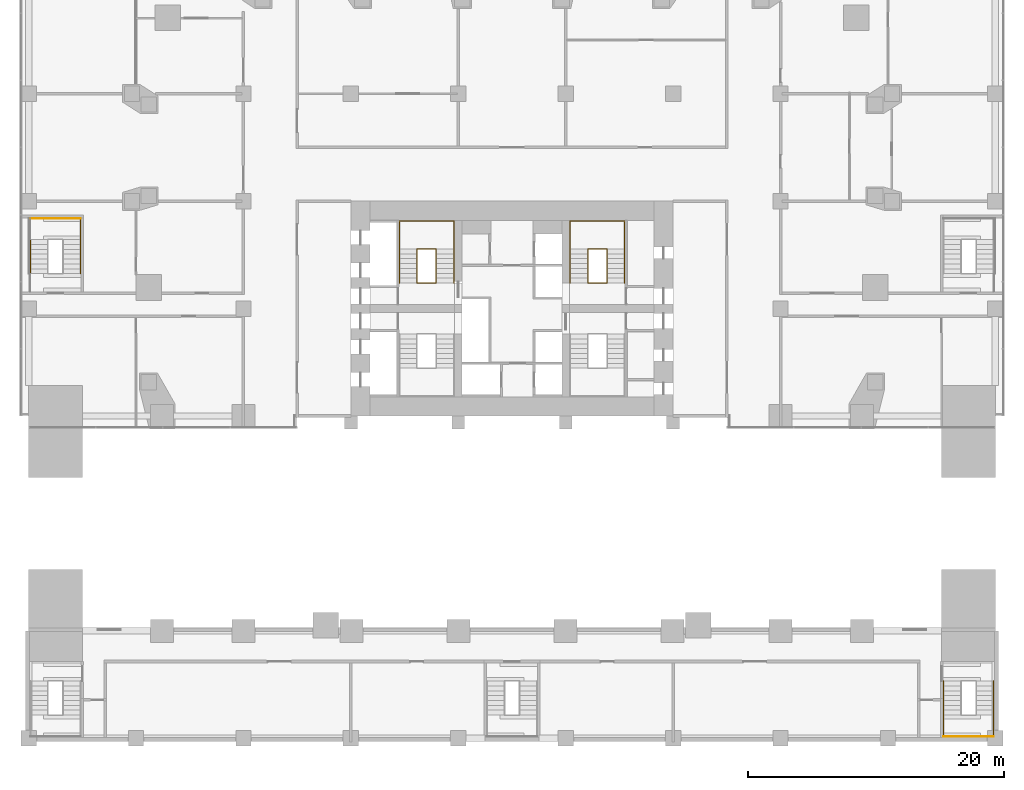
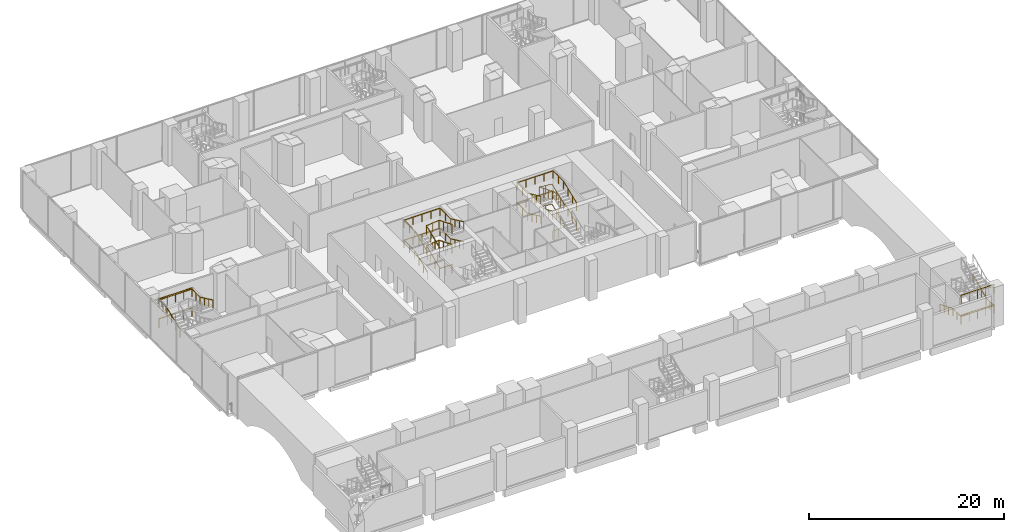
# One storey, part 25 of 28: 14 railings.
"""IFC4 building model written with IfcOpenShell, lengths in metres."""

from ifc_helpers import new_model, si_unit, direction, frame, origin, origin_2d, place, context, subcontext, project, spatial, circle, extrude, material, type_object, element, save


model = new_model("IFC4")

# Units and contexts
model_context = context("Model", 3, precision=1e-05, world=origin(), true_north=direction((0.0, 1.0)))
body_context = subcontext(model_context, "Body", "Model", "MODEL_VIEW")
ifc_project = project(units=[si_unit("LENGTHUNIT", "METRE"), si_unit("AREAUNIT", "SQUARE_METRE"), si_unit("VOLUMEUNIT", "CUBIC_METRE"), si_unit("PLANEANGLEUNIT", "RADIAN"), si_unit("MASSUNIT", "GRAM", prefix="KILO")], contexts=[model_context])

# Site, building, storey
site_placement = place(None, origin())
site = spatial("IfcSite", under=ifc_project, at=site_placement, CompositionType="ELEMENT")
building_placement = place(site_placement, origin())
building = spatial("IfcBuilding", under=site, at=building_placement, Name="Marenta Gate Hotel Tower", CompositionType="ELEMENT")
storey_placement = place(building_placement, frame((0.0, 0.0, 26.0)))
storey = spatial("IfcBuildingStorey", under=building, at=storey_placement, Name="L04", CompositionType="ELEMENT", Elevation=26.0)

# Railings
ifc_material_1 = material(Name="Stainless steel", Category="steel")
railing_type_1 = type_object("IfcRailingType", Name="Core stair handrail 950", PredefinedType="HANDRAIL", material=ifc_material_1)
railing_1_placement = place(storey_placement, frame((-8.800048828125, 10.39990234375, 0.15625)))
element("IfcRailing", 1, at=railing_1_placement, inside=storey, type_object=railing_type_1, Name="HR-950 L04-KR-ST2-1", PredefinedType="HANDRAIL", context=body_context, shape_type="SweptSolid", body=[
    extrude(circle(Radius=0.02392578125, at=origin_2d()), frame((0.0, 0.0, 0.92578125), z_axis=(0.0, 0.924874861033, 0.380271602187), x_axis=(-1.0, 0.0, 0.0)), (0.0, 0.0, 1.0), 2.876220703125),
    extrude(circle(Radius=0.02392578125, at=origin_2d()), frame((0.0, 2.66015625, 2.01953125), z_axis=(0.0, 1.0, 0.0), x_axis=(-1.0, 0.0, 0.0)), (0.0, 0.0, 1.0), 2.18994140625),
    extrude(circle(Radius=0.02392578125, at=origin_2d()), frame((0.0, 4.85009765625, 2.01953125), z_axis=(1.0, 0.0, 0.0), x_axis=(0.0, 1.0, 0.0)), (0.0, 0.0, 1.0), 4.25),
    extrude(circle(Radius=0.02392578125, at=origin_2d()), frame((4.25, 4.85009765625, 2.01953125), z_axis=(0.0, -1.0, 0.0), x_axis=(1.0, 0.0, 0.0)), (0.0, 0.0, 1.0), 2.18994140625),
    extrude(circle(Radius=0.02392578125, at=origin_2d()), frame((4.25, 2.66015625, 2.01953125), z_axis=(0.0, -0.905059511965, 0.425284939543), x_axis=(1.0, 0.0, 0.0)), (0.0, 0.0, 1.0), 2.939208984375),
    extrude(circle(Radius=0.02099609375, at=origin_2d()), origin(), (0.0, 0.0, 1.0), 0.90185546875),
    extrude(circle(Radius=0.02099609375, at=origin_2d()), frame((0.0, 0.88671875, 0.364501953125)), (0.0, 0.0, 1.0), 0.90185546875),
    extrude(circle(Radius=0.02099609375, at=origin_2d()), frame((0.0, 1.7734375, 0.729248046875)), (0.0, 0.0, 1.0), 0.90185546875),
    extrude(circle(Radius=0.02099609375, at=origin_2d()), frame((0.0, 2.66015625, 1.09375)), (0.0, 0.0, 1.0), 0.90185546875),
    extrude(circle(Radius=0.02099609375, at=origin_2d()), frame((0.0, 3.755126953125, 1.09375)), (0.0, 0.0, 1.0), 0.90185546875),
    extrude(circle(Radius=0.02099609375, at=origin_2d()), frame((0.0, 4.85009765625, 1.09375)), (0.0, 0.0, 1.0), 0.90185546875),
    extrude(circle(Radius=0.02099609375, at=origin_2d()), frame((1.0625, 4.85009765625, 1.09375)), (0.0, 0.0, 1.0), 0.90185546875),
    extrude(circle(Radius=0.02099609375, at=origin_2d()), frame((2.125, 4.85009765625, 1.09375)), (0.0, 0.0, 1.0), 0.90185546875),
    extrude(circle(Radius=0.02099609375, at=origin_2d()), frame((3.1875, 4.85009765625, 1.09375)), (0.0, 0.0, 1.0), 0.90185546875),
    extrude(circle(Radius=0.02099609375, at=origin_2d()), frame((4.25, 4.85009765625, 1.09375)), (0.0, 0.0, 1.0), 0.90185546875),
    extrude(circle(Radius=0.02099609375, at=origin_2d()), frame((4.25, 3.755126953125, 1.09375)), (0.0, 0.0, 1.0), 0.90185546875),
    extrude(circle(Radius=0.02099609375, at=origin_2d()), frame((4.25, 2.66015625, 1.09375)), (0.0, 0.0, 1.0), 0.90185546875),
    extrude(circle(Radius=0.02099609375, at=origin_2d()), frame((4.25, 1.7734375, 1.510498046875)), (0.0, 0.0, 1.0), 0.90185546875),
    extrude(circle(Radius=0.02099609375, at=origin_2d()), frame((4.25, 0.88671875, 1.927001953125)), (0.0, 0.0, 1.0), 0.90185546875),
    extrude(circle(Radius=0.02099609375, at=origin_2d()), frame((4.25, 0.0, 2.34375)), (0.0, 0.0, 1.0), 0.90185546875),
])
railing_2_placement = place(storey_placement, frame((-8.800048828125, 10.39990234375, 2.65625)))
element("IfcRailing", 2, at=railing_2_placement, inside=storey, type_object=railing_type_1, Name="HR-950 L04-KR-ST2-3", PredefinedType="HANDRAIL", context=body_context, shape_type="SweptSolid", body=[
    extrude(circle(Radius=0.02392578125, at=origin_2d()), frame((0.0, 0.0, 0.92578125), z_axis=(0.0, 0.924874861033, 0.380271602187), x_axis=(-1.0, 0.0, 0.0)), (0.0, 0.0, 1.0), 2.876220703125),
    extrude(circle(Radius=0.02392578125, at=origin_2d()), frame((0.0, 2.66015625, 2.01953125), z_axis=(0.0, 1.0, 0.0), x_axis=(-1.0, 0.0, 0.0)), (0.0, 0.0, 1.0), 2.18994140625),
    extrude(circle(Radius=0.02392578125, at=origin_2d()), frame((0.0, 4.85009765625, 2.01953125), z_axis=(1.0, 0.0, 0.0), x_axis=(0.0, 1.0, 0.0)), (0.0, 0.0, 1.0), 4.25),
    extrude(circle(Radius=0.02392578125, at=origin_2d()), frame((4.25, 4.85009765625, 2.01953125), z_axis=(0.0, -1.0, 0.0), x_axis=(1.0, 0.0, 0.0)), (0.0, 0.0, 1.0), 2.18994140625),
    extrude(circle(Radius=0.02392578125, at=origin_2d()), frame((4.25, 2.66015625, 2.01953125), z_axis=(0.0, -0.905059511965, 0.425284939543), x_axis=(1.0, 0.0, 0.0)), (0.0, 0.0, 1.0), 2.939208984375),
    extrude(circle(Radius=0.02099609375, at=origin_2d()), origin(), (0.0, 0.0, 1.0), 0.90185546875),
    extrude(circle(Radius=0.02099609375, at=origin_2d()), frame((0.0, 0.88671875, 0.364501953125)), (0.0, 0.0, 1.0), 0.90185546875),
    extrude(circle(Radius=0.02099609375, at=origin_2d()), frame((0.0, 1.7734375, 0.729248046875)), (0.0, 0.0, 1.0), 0.90185546875),
    extrude(circle(Radius=0.02099609375, at=origin_2d()), frame((0.0, 2.66015625, 1.09375)), (0.0, 0.0, 1.0), 0.90185546875),
    extrude(circle(Radius=0.02099609375, at=origin_2d()), frame((0.0, 3.755126953125, 1.09375)), (0.0, 0.0, 1.0), 0.90185546875),
    extrude(circle(Radius=0.02099609375, at=origin_2d()), frame((0.0, 4.85009765625, 1.09375)), (0.0, 0.0, 1.0), 0.90185546875),
    extrude(circle(Radius=0.02099609375, at=origin_2d()), frame((1.0625, 4.85009765625, 1.09375)), (0.0, 0.0, 1.0), 0.90185546875),
    extrude(circle(Radius=0.02099609375, at=origin_2d()), frame((2.125, 4.85009765625, 1.09375)), (0.0, 0.0, 1.0), 0.90185546875),
    extrude(circle(Radius=0.02099609375, at=origin_2d()), frame((3.1875, 4.85009765625, 1.09375)), (0.0, 0.0, 1.0), 0.90185546875),
    extrude(circle(Radius=0.02099609375, at=origin_2d()), frame((4.25, 4.85009765625, 1.09375)), (0.0, 0.0, 1.0), 0.90185546875),
    extrude(circle(Radius=0.02099609375, at=origin_2d()), frame((4.25, 3.755126953125, 1.09375)), (0.0, 0.0, 1.0), 0.90185546875),
    extrude(circle(Radius=0.02099609375, at=origin_2d()), frame((4.25, 2.66015625, 1.09375)), (0.0, 0.0, 1.0), 0.90185546875),
    extrude(circle(Radius=0.02099609375, at=origin_2d()), frame((4.25, 1.7734375, 1.510498046875)), (0.0, 0.0, 1.0), 0.90185546875),
    extrude(circle(Radius=0.02099609375, at=origin_2d()), frame((4.25, 0.88671875, 1.927001953125)), (0.0, 0.0, 1.0), 0.90185546875),
    extrude(circle(Radius=0.02099609375, at=origin_2d()), frame((4.25, 0.0, 2.34375)), (0.0, 0.0, 1.0), 0.90185546875),
])
railing_3_placement = place(storey_placement, frame((8.800048828125, 10.39990234375, 0.15625)))
element("IfcRailing", 3, at=railing_3_placement, inside=storey, type_object=railing_type_1, Name="HR-950 L04-KR-ST4-1", PredefinedType="HANDRAIL", context=body_context, shape_type="SweptSolid", body=[
    extrude(circle(Radius=0.02392578125, at=origin_2d()), frame((0.0, 0.0, 0.92578125), z_axis=(0.0, 0.924874861033, 0.380271602187), x_axis=(-1.0, 0.0, 0.0)), (0.0, 0.0, 1.0), 2.876220703125),
    extrude(circle(Radius=0.02392578125, at=origin_2d()), frame((0.0, 2.66015625, 2.01953125), z_axis=(0.0, 1.0, 0.0), x_axis=(-1.0, 0.0, 0.0)), (0.0, 0.0, 1.0), 2.18994140625),
    extrude(circle(Radius=0.02392578125, at=origin_2d()), frame((0.0, 4.85009765625, 2.01953125), z_axis=(-1.0, 0.0, 0.0), x_axis=(0.0, -1.0, 0.0)), (0.0, 0.0, 1.0), 4.25),
    extrude(circle(Radius=0.02392578125, at=origin_2d()), frame((-4.25, 4.85009765625, 2.01953125), z_axis=(0.0, -1.0, 0.0), x_axis=(1.0, 0.0, 0.0)), (0.0, 0.0, 1.0), 2.18994140625),
    extrude(circle(Radius=0.02392578125, at=origin_2d()), frame((-4.25, 2.66015625, 2.01953125), z_axis=(0.0, -0.905059511965, 0.425284939543), x_axis=(1.0, 0.0, 0.0)), (0.0, 0.0, 1.0), 2.939208984375),
    extrude(circle(Radius=0.02099609375, at=origin_2d()), origin(), (0.0, 0.0, 1.0), 0.90185546875),
    extrude(circle(Radius=0.02099609375, at=origin_2d()), frame((0.0, 0.88671875, 0.364501953125)), (0.0, 0.0, 1.0), 0.90185546875),
    extrude(circle(Radius=0.02099609375, at=origin_2d()), frame((0.0, 1.7734375, 0.729248046875)), (0.0, 0.0, 1.0), 0.90185546875),
    extrude(circle(Radius=0.02099609375, at=origin_2d()), frame((0.0, 2.66015625, 1.09375)), (0.0, 0.0, 1.0), 0.90185546875),
    extrude(circle(Radius=0.02099609375, at=origin_2d()), frame((0.0, 3.755126953125, 1.09375)), (0.0, 0.0, 1.0), 0.90185546875),
    extrude(circle(Radius=0.02099609375, at=origin_2d()), frame((0.0, 4.85009765625, 1.09375)), (0.0, 0.0, 1.0), 0.90185546875),
    extrude(circle(Radius=0.02099609375, at=origin_2d()), frame((-1.0625, 4.85009765625, 1.09375)), (0.0, 0.0, 1.0), 0.90185546875),
    extrude(circle(Radius=0.02099609375, at=origin_2d()), frame((-2.125, 4.85009765625, 1.09375)), (0.0, 0.0, 1.0), 0.90185546875),
    extrude(circle(Radius=0.02099609375, at=origin_2d()), frame((-3.1875, 4.85009765625, 1.09375)), (0.0, 0.0, 1.0), 0.90185546875),
    extrude(circle(Radius=0.02099609375, at=origin_2d()), frame((-4.25, 4.85009765625, 1.09375)), (0.0, 0.0, 1.0), 0.90185546875),
    extrude(circle(Radius=0.02099609375, at=origin_2d()), frame((-4.25, 3.755126953125, 1.09375)), (0.0, 0.0, 1.0), 0.90185546875),
    extrude(circle(Radius=0.02099609375, at=origin_2d()), frame((-4.25, 2.66015625, 1.09375)), (0.0, 0.0, 1.0), 0.90185546875),
    extrude(circle(Radius=0.02099609375, at=origin_2d()), frame((-4.25, 1.7734375, 1.510498046875)), (0.0, 0.0, 1.0), 0.90185546875),
    extrude(circle(Radius=0.02099609375, at=origin_2d()), frame((-4.25, 0.88671875, 1.927001953125)), (0.0, 0.0, 1.0), 0.90185546875),
    extrude(circle(Radius=0.02099609375, at=origin_2d()), frame((-4.25, 0.0, 2.34375)), (0.0, 0.0, 1.0), 0.90185546875),
])
railing_4_placement = place(storey_placement, frame((8.800048828125, 10.39990234375, 2.65625)))
element("IfcRailing", 4, at=railing_4_placement, inside=storey, type_object=railing_type_1, Name="HR-950 L04-KR-ST4-3", PredefinedType="HANDRAIL", context=body_context, shape_type="SweptSolid", body=[
    extrude(circle(Radius=0.02392578125, at=origin_2d()), frame((0.0, 0.0, 0.92578125), z_axis=(0.0, 0.924874861033, 0.380271602187), x_axis=(-1.0, 0.0, 0.0)), (0.0, 0.0, 1.0), 2.876220703125),
    extrude(circle(Radius=0.02392578125, at=origin_2d()), frame((0.0, 2.66015625, 2.01953125), z_axis=(0.0, 1.0, 0.0), x_axis=(-1.0, 0.0, 0.0)), (0.0, 0.0, 1.0), 2.18994140625),
    extrude(circle(Radius=0.02392578125, at=origin_2d()), frame((0.0, 4.85009765625, 2.01953125), z_axis=(-1.0, 0.0, 0.0), x_axis=(0.0, -1.0, 0.0)), (0.0, 0.0, 1.0), 4.25),
    extrude(circle(Radius=0.02392578125, at=origin_2d()), frame((-4.25, 4.85009765625, 2.01953125), z_axis=(0.0, -1.0, 0.0), x_axis=(1.0, 0.0, 0.0)), (0.0, 0.0, 1.0), 2.18994140625),
    extrude(circle(Radius=0.02392578125, at=origin_2d()), frame((-4.25, 2.66015625, 2.01953125), z_axis=(0.0, -0.905059511965, 0.425284939543), x_axis=(1.0, 0.0, 0.0)), (0.0, 0.0, 1.0), 2.939208984375),
    extrude(circle(Radius=0.02099609375, at=origin_2d()), origin(), (0.0, 0.0, 1.0), 0.90185546875),
    extrude(circle(Radius=0.02099609375, at=origin_2d()), frame((0.0, 0.88671875, 0.364501953125)), (0.0, 0.0, 1.0), 0.90185546875),
    extrude(circle(Radius=0.02099609375, at=origin_2d()), frame((0.0, 1.7734375, 0.729248046875)), (0.0, 0.0, 1.0), 0.90185546875),
    extrude(circle(Radius=0.02099609375, at=origin_2d()), frame((0.0, 2.66015625, 1.09375)), (0.0, 0.0, 1.0), 0.90185546875),
    extrude(circle(Radius=0.02099609375, at=origin_2d()), frame((0.0, 3.755126953125, 1.09375)), (0.0, 0.0, 1.0), 0.90185546875),
    extrude(circle(Radius=0.02099609375, at=origin_2d()), frame((0.0, 4.85009765625, 1.09375)), (0.0, 0.0, 1.0), 0.90185546875),
    extrude(circle(Radius=0.02099609375, at=origin_2d()), frame((-1.0625, 4.85009765625, 1.09375)), (0.0, 0.0, 1.0), 0.90185546875),
    extrude(circle(Radius=0.02099609375, at=origin_2d()), frame((-2.125, 4.85009765625, 1.09375)), (0.0, 0.0, 1.0), 0.90185546875),
    extrude(circle(Radius=0.02099609375, at=origin_2d()), frame((-3.1875, 4.85009765625, 1.09375)), (0.0, 0.0, 1.0), 0.90185546875),
    extrude(circle(Radius=0.02099609375, at=origin_2d()), frame((-4.25, 4.85009765625, 1.09375)), (0.0, 0.0, 1.0), 0.90185546875),
    extrude(circle(Radius=0.02099609375, at=origin_2d()), frame((-4.25, 3.755126953125, 1.09375)), (0.0, 0.0, 1.0), 0.90185546875),
    extrude(circle(Radius=0.02099609375, at=origin_2d()), frame((-4.25, 2.66015625, 1.09375)), (0.0, 0.0, 1.0), 0.90185546875),
    extrude(circle(Radius=0.02099609375, at=origin_2d()), frame((-4.25, 1.7734375, 1.510498046875)), (0.0, 0.0, 1.0), 0.90185546875),
    extrude(circle(Radius=0.02099609375, at=origin_2d()), frame((-4.25, 0.88671875, 1.927001953125)), (0.0, 0.0, 1.0), 0.90185546875),
    extrude(circle(Radius=0.02099609375, at=origin_2d()), frame((-4.25, 0.0, 2.34375)), (0.0, 0.0, 1.0), 0.90185546875),
])
railing_5_placement = place(storey_placement, frame((33.75, -20.72998046875, 0.15625)))
element("IfcRailing", 5, at=railing_5_placement, inside=storey, type_object=railing_type_1, Name="HR-950 L04-KR-PX2-2", PredefinedType="HANDRAIL", context=body_context, shape_type="SweptSolid", body=[
    extrude(circle(Radius=0.02392578125, at=origin_2d()), frame((0.0, 0.0, 0.92578125), z_axis=(0.0, -0.924862585091, 0.38030145766), x_axis=(1.0, 0.0, 0.0)), (0.0, 0.0, 1.0), 2.8759765625),
    extrude(circle(Radius=0.02392578125, at=origin_2d()), frame((0.0, -2.659912109375, 2.01953125), z_axis=(0.0, -1.0, 0.0), x_axis=(1.0, 0.0, 0.0)), (0.0, 0.0, 1.0), 1.66015625),
    extrude(circle(Radius=0.02392578125, at=origin_2d()), frame((0.0, -4.320068359375, 2.01953125), z_axis=(1.0, 0.0, 0.0), x_axis=(0.0, 1.0, 0.0)), (0.0, 0.0, 1.0), 3.89990234375),
    extrude(circle(Radius=0.02392578125, at=origin_2d()), frame((3.89990234375, -4.320068359375, 2.01953125), z_axis=(0.0, 1.0, 0.0), x_axis=(-1.0, 0.0, 0.0)), (0.0, 0.0, 1.0), 1.66015625),
    extrude(circle(Radius=0.02392578125, at=origin_2d()), frame((3.89990234375, -2.659912109375, 2.01953125), z_axis=(0.0, 0.905044486808, 0.425316913488), x_axis=(-1.0, 0.0, 0.0)), (0.0, 0.0, 1.0), 2.93896484375),
    extrude(circle(Radius=0.02099609375, at=origin_2d()), origin(), (0.0, 0.0, 1.0), 0.90185546875),
    extrude(circle(Radius=0.02099609375, at=origin_2d()), frame((0.0, -0.88671875, 0.364501953125)), (0.0, 0.0, 1.0), 0.90185546875),
    extrude(circle(Radius=0.02099609375, at=origin_2d()), frame((0.0, -1.773193359375, 0.729248046875)), (0.0, 0.0, 1.0), 0.90185546875),
    extrude(circle(Radius=0.02099609375, at=origin_2d()), frame((0.0, -2.659912109375, 1.09375)), (0.0, 0.0, 1.0), 0.90185546875),
    extrude(circle(Radius=0.02099609375, at=origin_2d()), frame((0.0, -3.489990234375, 1.09375)), (0.0, 0.0, 1.0), 0.90185546875),
    extrude(circle(Radius=0.02099609375, at=origin_2d()), frame((0.0, -4.320068359375, 1.09375)), (0.0, 0.0, 1.0), 0.90185546875),
    extrude(circle(Radius=0.02099609375, at=origin_2d()), frame((0.97509765625, -4.320068359375, 1.09375)), (0.0, 0.0, 1.0), 0.90185546875),
    extrude(circle(Radius=0.02099609375, at=origin_2d()), frame((1.949951171875, -4.320068359375, 1.09375)), (0.0, 0.0, 1.0), 0.90185546875),
    extrude(circle(Radius=0.02099609375, at=origin_2d()), frame((2.9248046875, -4.320068359375, 1.09375)), (0.0, 0.0, 1.0), 0.90185546875),
    extrude(circle(Radius=0.02099609375, at=origin_2d()), frame((3.89990234375, -4.320068359375, 1.09375)), (0.0, 0.0, 1.0), 0.90185546875),
    extrude(circle(Radius=0.02099609375, at=origin_2d()), frame((3.89990234375, -3.489990234375, 1.09375)), (0.0, 0.0, 1.0), 0.90185546875),
    extrude(circle(Radius=0.02099609375, at=origin_2d()), frame((3.89990234375, -2.659912109375, 1.09375)), (0.0, 0.0, 1.0), 0.90185546875),
    extrude(circle(Radius=0.02099609375, at=origin_2d()), frame((3.89990234375, -1.773193359375, 1.510498046875)), (0.0, 0.0, 1.0), 0.90185546875),
    extrude(circle(Radius=0.02099609375, at=origin_2d()), frame((3.89990234375, -0.88671875, 1.927001953125)), (0.0, 0.0, 1.0), 0.90185546875),
    extrude(circle(Radius=0.02099609375, at=origin_2d()), frame((3.89990234375, 0.0, 2.34375)), (0.0, 0.0, 1.0), 0.90185546875),
])
railing_6_placement = place(storey_placement, frame((-37.64990234375, 11.1298828125, 2.65625)))
element("IfcRailing", 6, at=railing_6_placement, inside=storey, type_object=railing_type_1, Name="HR-950 L04-KR-PX6-5", PredefinedType="HANDRAIL", context=body_context, shape_type="SweptSolid", body=[
    extrude(circle(Radius=0.02392578125, at=origin_2d()), frame((0.0, 0.0, 0.92578125), z_axis=(0.0, 0.924874861033, 0.380271602187), x_axis=(-1.0, 0.0, 0.0)), (0.0, 0.0, 1.0), 2.876220703125),
    extrude(circle(Radius=0.02392578125, at=origin_2d()), frame((0.0, 2.66015625, 2.01953125), z_axis=(0.0, 1.0, 0.0), x_axis=(-1.0, 0.0, 0.0)), (0.0, 0.0, 1.0), 1.659912109375),
    extrude(circle(Radius=0.02392578125, at=origin_2d()), frame((0.0, 4.320068359375, 2.01953125), z_axis=(1.0, 0.0, 0.0), x_axis=(0.0, 1.0, 0.0)), (0.0, 0.0, 1.0), 3.89990234375),
    extrude(circle(Radius=0.02392578125, at=origin_2d()), frame((3.89990234375, 4.320068359375, 2.01953125), z_axis=(0.0, -1.0, 0.0), x_axis=(1.0, 0.0, 0.0)), (0.0, 0.0, 1.0), 1.659912109375),
    extrude(circle(Radius=0.02392578125, at=origin_2d()), frame((3.89990234375, 2.66015625, 2.01953125), z_axis=(0.0, -0.905059511965, 0.425284939543), x_axis=(1.0, 0.0, 0.0)), (0.0, 0.0, 1.0), 2.939208984375),
    extrude(circle(Radius=0.02099609375, at=origin_2d()), origin(), (0.0, 0.0, 1.0), 0.90185546875),
    extrude(circle(Radius=0.02099609375, at=origin_2d()), frame((0.0, 0.88671875, 0.364501953125)), (0.0, 0.0, 1.0), 0.90185546875),
    extrude(circle(Radius=0.02099609375, at=origin_2d()), frame((0.0, 1.7734375, 0.729248046875)), (0.0, 0.0, 1.0), 0.90185546875),
    extrude(circle(Radius=0.02099609375, at=origin_2d()), frame((0.0, 2.66015625, 1.09375)), (0.0, 0.0, 1.0), 0.90185546875),
    extrude(circle(Radius=0.02099609375, at=origin_2d()), frame((0.0, 3.490234375, 1.09375)), (0.0, 0.0, 1.0), 0.90185546875),
    extrude(circle(Radius=0.02099609375, at=origin_2d()), frame((0.0, 4.320068359375, 1.09375)), (0.0, 0.0, 1.0), 0.90185546875),
    extrude(circle(Radius=0.02099609375, at=origin_2d()), frame((0.97509765625, 4.320068359375, 1.09375)), (0.0, 0.0, 1.0), 0.90185546875),
    extrude(circle(Radius=0.02099609375, at=origin_2d()), frame((1.949951171875, 4.320068359375, 1.09375)), (0.0, 0.0, 1.0), 0.90185546875),
    extrude(circle(Radius=0.02099609375, at=origin_2d()), frame((2.9248046875, 4.320068359375, 1.09375)), (0.0, 0.0, 1.0), 0.90185546875),
    extrude(circle(Radius=0.02099609375, at=origin_2d()), frame((3.89990234375, 4.320068359375, 1.09375)), (0.0, 0.0, 1.0), 0.90185546875),
    extrude(circle(Radius=0.02099609375, at=origin_2d()), frame((3.89990234375, 3.490234375, 1.09375)), (0.0, 0.0, 1.0), 0.90185546875),
    extrude(circle(Radius=0.02099609375, at=origin_2d()), frame((3.89990234375, 2.66015625, 1.09375)), (0.0, 0.0, 1.0), 0.90185546875),
    extrude(circle(Radius=0.02099609375, at=origin_2d()), frame((3.89990234375, 1.7734375, 1.510498046875)), (0.0, 0.0, 1.0), 0.90185546875),
    extrude(circle(Radius=0.02099609375, at=origin_2d()), frame((3.89990234375, 0.88671875, 1.927001953125)), (0.0, 0.0, 1.0), 0.90185546875),
    extrude(circle(Radius=0.02099609375, at=origin_2d()), frame((3.89990234375, 0.0, 2.34375)), (0.0, 0.0, 1.0), 0.90185546875),
])
ifc_material_2 = material(Name="Stainless steel", Category="steel")
railing_type_2 = type_object("IfcRailingType", Name="Core stair well guard 1100", PredefinedType="GUARDRAIL", material=ifc_material_2)
railing_7_placement = place(storey_placement, frame((-5.929931640625, 10.39990234375, 0.0)))
element("IfcRailing", 7, at=railing_7_placement, inside=storey, type_object=railing_type_2, Name="GR-1100 L04-KR-ST2-2", PredefinedType="GUARDRAIL", context=body_context, shape_type="SweptSolid", body=[
    extrude(circle(Radius=0.02392578125, at=origin_2d()), frame((0.0, 0.0, 1.076171875), z_axis=(-1.0, 0.0, 0.0), x_axis=(0.0, -1.0, 0.0)), (0.0, 0.0, 1.0), 1.489990234375),
    extrude(circle(Radius=0.02392578125, at=origin_2d()), frame((-1.489990234375, 0.0, 1.076171875), z_axis=(0.0, 0.0, 1.0), x_axis=(1.0, 0.0, 0.0)), (0.0, 0.0, 1.0), 0.15625),
    extrude(circle(Radius=0.02392578125, at=origin_2d()), frame((-1.489990234375, 0.0, 1.232421875), z_axis=(0.0, 0.924874861033, 0.380271602187), x_axis=(-1.0, 0.0, 0.0)), (0.0, 0.0, 1.0), 2.876220703125),
    extrude(circle(Radius=0.02392578125, at=origin_2d()), frame((-1.489990234375, 2.66015625, 2.326171875), z_axis=(0.994546451282, 0.0, 0.104294564775), x_axis=(0.0, 1.0, 0.0)), (0.0, 0.0, 1.0), 1.498046875),
    extrude(circle(Radius=0.02392578125, at=origin_2d()), frame((0.0, 2.66015625, 2.482421875), z_axis=(0.0, -0.924874861033, 0.380271602187), x_axis=(1.0, 0.0, 0.0)), (0.0, 0.0, 1.0), 2.876220703125),
    extrude(circle(Radius=0.02099609375, at=origin_2d()), origin(), (0.0, 0.0, 1.0), 1.052001953125),
    extrude(circle(Radius=0.02099609375, at=origin_2d()), frame((-0.7451171875, 0.0, 0.0)), (0.0, 0.0, 1.0), 1.052001953125),
    extrude(circle(Radius=0.02099609375, at=origin_2d()), frame((-1.489990234375, 0.0, 0.0)), (0.0, 0.0, 1.0), 1.052001953125),
    extrude(circle(Radius=0.02099609375, at=origin_2d()), frame((-1.489990234375, 0.0, 0.15625)), (0.0, 0.0, 1.0), 1.052001953125),
    extrude(circle(Radius=0.02099609375, at=origin_2d()), frame((-1.489990234375, 0.88671875, 0.520751953125)), (0.0, 0.0, 1.0), 1.052001953125),
    extrude(circle(Radius=0.02099609375, at=origin_2d()), frame((-1.489990234375, 1.7734375, 0.885498046875)), (0.0, 0.0, 1.0), 1.052001953125),
    extrude(circle(Radius=0.02099609375, at=origin_2d()), frame((-1.489990234375, 2.66015625, 1.25)), (0.0, 0.0, 1.0), 1.052001953125),
    extrude(circle(Radius=0.02099609375, at=origin_2d()), frame((-0.7451171875, 2.66015625, 1.328125)), (0.0, 0.0, 1.0), 1.052001953125),
    extrude(circle(Radius=0.02099609375, at=origin_2d()), frame((0.0, 2.66015625, 1.40625)), (0.0, 0.0, 1.0), 1.052001953125),
    extrude(circle(Radius=0.02099609375, at=origin_2d()), frame((0.0, 1.7734375, 1.770751953125)), (0.0, 0.0, 1.0), 1.052001953125),
    extrude(circle(Radius=0.02099609375, at=origin_2d()), frame((0.0, 0.88671875, 2.135498046875)), (0.0, 0.0, 1.0), 1.052001953125),
    extrude(circle(Radius=0.02099609375, at=origin_2d()), frame((0.0, 0.0, 2.5)), (0.0, 0.0, 1.0), 1.052001953125),
])
railing_8_placement = place(storey_placement, frame((-5.929931640625, 10.39990234375, 2.5)))
element("IfcRailing", 8, at=railing_8_placement, inside=storey, type_object=railing_type_2, Name="GR-1100 L04-KR-ST2-4", PredefinedType="GUARDRAIL", context=body_context, shape_type="SweptSolid", body=[
    extrude(circle(Radius=0.02392578125, at=origin_2d()), frame((0.0, 0.0, 1.076171875), z_axis=(-1.0, 0.0, 0.0), x_axis=(0.0, -1.0, 0.0)), (0.0, 0.0, 1.0), 1.489990234375),
    extrude(circle(Radius=0.02392578125, at=origin_2d()), frame((-1.489990234375, 0.0, 1.076171875), z_axis=(0.0, 0.0, 1.0), x_axis=(1.0, 0.0, 0.0)), (0.0, 0.0, 1.0), 0.15625),
    extrude(circle(Radius=0.02392578125, at=origin_2d()), frame((-1.489990234375, 0.0, 1.232421875), z_axis=(0.0, 0.924874861033, 0.380271602187), x_axis=(-1.0, 0.0, 0.0)), (0.0, 0.0, 1.0), 2.876220703125),
    extrude(circle(Radius=0.02392578125, at=origin_2d()), frame((-1.489990234375, 2.66015625, 2.326171875), z_axis=(0.994546451282, 0.0, 0.104294564775), x_axis=(0.0, 1.0, 0.0)), (0.0, 0.0, 1.0), 1.498046875),
    extrude(circle(Radius=0.02392578125, at=origin_2d()), frame((0.0, 2.66015625, 2.482421875), z_axis=(0.0, -0.924874861033, 0.380271602187), x_axis=(1.0, 0.0, 0.0)), (0.0, 0.0, 1.0), 2.876220703125),
    extrude(circle(Radius=0.02099609375, at=origin_2d()), origin(), (0.0, 0.0, 1.0), 1.052001953125),
    extrude(circle(Radius=0.02099609375, at=origin_2d()), frame((-0.7451171875, 0.0, 0.0)), (0.0, 0.0, 1.0), 1.052001953125),
    extrude(circle(Radius=0.02099609375, at=origin_2d()), frame((-1.489990234375, 0.0, 0.0)), (0.0, 0.0, 1.0), 1.052001953125),
    extrude(circle(Radius=0.02099609375, at=origin_2d()), frame((-1.489990234375, 0.0, 0.15625)), (0.0, 0.0, 1.0), 1.052001953125),
    extrude(circle(Radius=0.02099609375, at=origin_2d()), frame((-1.489990234375, 0.88671875, 0.520751953125)), (0.0, 0.0, 1.0), 1.052001953125),
    extrude(circle(Radius=0.02099609375, at=origin_2d()), frame((-1.489990234375, 1.7734375, 0.885498046875)), (0.0, 0.0, 1.0), 1.052001953125),
    extrude(circle(Radius=0.02099609375, at=origin_2d()), frame((-1.489990234375, 2.66015625, 1.25)), (0.0, 0.0, 1.0), 1.052001953125),
    extrude(circle(Radius=0.02099609375, at=origin_2d()), frame((-0.7451171875, 2.66015625, 1.328125)), (0.0, 0.0, 1.0), 1.052001953125),
    extrude(circle(Radius=0.02099609375, at=origin_2d()), frame((0.0, 2.66015625, 1.40625)), (0.0, 0.0, 1.0), 1.052001953125),
    extrude(circle(Radius=0.02099609375, at=origin_2d()), frame((0.0, 1.7734375, 1.770751953125)), (0.0, 0.0, 1.0), 1.052001953125),
    extrude(circle(Radius=0.02099609375, at=origin_2d()), frame((0.0, 0.88671875, 2.135498046875)), (0.0, 0.0, 1.0), 1.052001953125),
    extrude(circle(Radius=0.02099609375, at=origin_2d()), frame((0.0, 0.0, 2.5)), (0.0, 0.0, 1.0), 1.052001953125),
])
railing_9_placement = place(storey_placement, frame((5.929931640625, 10.39990234375, 0.0)))
element("IfcRailing", 9, at=railing_9_placement, inside=storey, type_object=railing_type_2, Name="GR-1100 L04-KR-ST4-2", PredefinedType="GUARDRAIL", context=body_context, shape_type="SweptSolid", body=[
    extrude(circle(Radius=0.02392578125, at=origin_2d()), frame((0.0, 0.0, 1.076171875), z_axis=(1.0, 0.0, 0.0), x_axis=(0.0, 1.0, 0.0)), (0.0, 0.0, 1.0), 1.489990234375),
    extrude(circle(Radius=0.02392578125, at=origin_2d()), frame((1.489990234375, 0.0, 1.076171875), z_axis=(0.0, 0.0, 1.0), x_axis=(1.0, 0.0, 0.0)), (0.0, 0.0, 1.0), 0.15625),
    extrude(circle(Radius=0.02392578125, at=origin_2d()), frame((1.489990234375, 0.0, 1.232421875), z_axis=(0.0, 0.924874861033, 0.380271602187), x_axis=(-1.0, 0.0, 0.0)), (0.0, 0.0, 1.0), 2.876220703125),
    extrude(circle(Radius=0.02392578125, at=origin_2d()), frame((1.489990234375, 2.66015625, 2.326171875), z_axis=(-0.994546451282, 0.0, 0.104294564775), x_axis=(0.0, -1.0, 0.0)), (0.0, 0.0, 1.0), 1.498046875),
    extrude(circle(Radius=0.02392578125, at=origin_2d()), frame((0.0, 2.66015625, 2.482421875), z_axis=(0.0, -0.924874861033, 0.380271602187), x_axis=(1.0, 0.0, 0.0)), (0.0, 0.0, 1.0), 2.876220703125),
    extrude(circle(Radius=0.02099609375, at=origin_2d()), origin(), (0.0, 0.0, 1.0), 1.052001953125),
    extrude(circle(Radius=0.02099609375, at=origin_2d()), frame((0.7451171875, 0.0, 0.0)), (0.0, 0.0, 1.0), 1.052001953125),
    extrude(circle(Radius=0.02099609375, at=origin_2d()), frame((1.489990234375, 0.0, 0.0)), (0.0, 0.0, 1.0), 1.052001953125),
    extrude(circle(Radius=0.02099609375, at=origin_2d()), frame((1.489990234375, 0.0, 0.15625)), (0.0, 0.0, 1.0), 1.052001953125),
    extrude(circle(Radius=0.02099609375, at=origin_2d()), frame((1.489990234375, 0.88671875, 0.520751953125)), (0.0, 0.0, 1.0), 1.052001953125),
    extrude(circle(Radius=0.02099609375, at=origin_2d()), frame((1.489990234375, 1.7734375, 0.885498046875)), (0.0, 0.0, 1.0), 1.052001953125),
    extrude(circle(Radius=0.02099609375, at=origin_2d()), frame((1.489990234375, 2.66015625, 1.25)), (0.0, 0.0, 1.0), 1.052001953125),
    extrude(circle(Radius=0.02099609375, at=origin_2d()), frame((0.7451171875, 2.66015625, 1.328125)), (0.0, 0.0, 1.0), 1.052001953125),
    extrude(circle(Radius=0.02099609375, at=origin_2d()), frame((0.0, 2.66015625, 1.40625)), (0.0, 0.0, 1.0), 1.052001953125),
    extrude(circle(Radius=0.02099609375, at=origin_2d()), frame((0.0, 1.7734375, 1.770751953125)), (0.0, 0.0, 1.0), 1.052001953125),
    extrude(circle(Radius=0.02099609375, at=origin_2d()), frame((0.0, 0.88671875, 2.135498046875)), (0.0, 0.0, 1.0), 1.052001953125),
    extrude(circle(Radius=0.02099609375, at=origin_2d()), frame((0.0, 0.0, 2.5)), (0.0, 0.0, 1.0), 1.052001953125),
])
railing_10_placement = place(storey_placement, frame((5.929931640625, 10.39990234375, 2.5)))
element("IfcRailing", 10, at=railing_10_placement, inside=storey, type_object=railing_type_2, Name="GR-1100 L04-KR-ST4-4", PredefinedType="GUARDRAIL", context=body_context, shape_type="SweptSolid", body=[
    extrude(circle(Radius=0.02392578125, at=origin_2d()), frame((0.0, 0.0, 1.076171875), z_axis=(1.0, 0.0, 0.0), x_axis=(0.0, 1.0, 0.0)), (0.0, 0.0, 1.0), 1.489990234375),
    extrude(circle(Radius=0.02392578125, at=origin_2d()), frame((1.489990234375, 0.0, 1.076171875), z_axis=(0.0, 0.0, 1.0), x_axis=(1.0, 0.0, 0.0)), (0.0, 0.0, 1.0), 0.15625),
    extrude(circle(Radius=0.02392578125, at=origin_2d()), frame((1.489990234375, 0.0, 1.232421875), z_axis=(0.0, 0.924874861033, 0.380271602187), x_axis=(-1.0, 0.0, 0.0)), (0.0, 0.0, 1.0), 2.876220703125),
    extrude(circle(Radius=0.02392578125, at=origin_2d()), frame((1.489990234375, 2.66015625, 2.326171875), z_axis=(-0.994546451282, 0.0, 0.104294564775), x_axis=(0.0, -1.0, 0.0)), (0.0, 0.0, 1.0), 1.498046875),
    extrude(circle(Radius=0.02392578125, at=origin_2d()), frame((0.0, 2.66015625, 2.482421875), z_axis=(0.0, -0.924874861033, 0.380271602187), x_axis=(1.0, 0.0, 0.0)), (0.0, 0.0, 1.0), 2.876220703125),
    extrude(circle(Radius=0.02099609375, at=origin_2d()), origin(), (0.0, 0.0, 1.0), 1.052001953125),
    extrude(circle(Radius=0.02099609375, at=origin_2d()), frame((0.7451171875, 0.0, 0.0)), (0.0, 0.0, 1.0), 1.052001953125),
    extrude(circle(Radius=0.02099609375, at=origin_2d()), frame((1.489990234375, 0.0, 0.0)), (0.0, 0.0, 1.0), 1.052001953125),
    extrude(circle(Radius=0.02099609375, at=origin_2d()), frame((1.489990234375, 0.0, 0.15625)), (0.0, 0.0, 1.0), 1.052001953125),
    extrude(circle(Radius=0.02099609375, at=origin_2d()), frame((1.489990234375, 0.88671875, 0.520751953125)), (0.0, 0.0, 1.0), 1.052001953125),
    extrude(circle(Radius=0.02099609375, at=origin_2d()), frame((1.489990234375, 1.7734375, 0.885498046875)), (0.0, 0.0, 1.0), 1.052001953125),
    extrude(circle(Radius=0.02099609375, at=origin_2d()), frame((1.489990234375, 2.66015625, 1.25)), (0.0, 0.0, 1.0), 1.052001953125),
    extrude(circle(Radius=0.02099609375, at=origin_2d()), frame((0.7451171875, 2.66015625, 1.328125)), (0.0, 0.0, 1.0), 1.052001953125),
    extrude(circle(Radius=0.02099609375, at=origin_2d()), frame((0.0, 2.66015625, 1.40625)), (0.0, 0.0, 1.0), 1.052001953125),
    extrude(circle(Radius=0.02099609375, at=origin_2d()), frame((0.0, 1.7734375, 1.770751953125)), (0.0, 0.0, 1.0), 1.052001953125),
    extrude(circle(Radius=0.02099609375, at=origin_2d()), frame((0.0, 0.88671875, 2.135498046875)), (0.0, 0.0, 1.0), 1.052001953125),
    extrude(circle(Radius=0.02099609375, at=origin_2d()), frame((0.0, 0.0, 2.5)), (0.0, 0.0, 1.0), 1.052001953125),
])
for number, where, name in (
    (11, (33.75, -25.050048828125, 1.25), "GR-1100 L04-KR-PX2-1"),
    (12, (33.75, -25.050048828125, 3.75), "GR-1100 L04-KR-PX2-4"),
    (13, (-37.64990234375, 15.449951171875, 1.25), "GR-1100 L04-KR-PX6-1"),
    (14, (-37.64990234375, 15.449951171875, 3.75), "GR-1100 L04-KR-PX6-4"),
):
    element("IfcRailing", number, at=place(storey_placement, frame(where)), inside=storey, type_object=railing_type_2, Name=name, PredefinedType="GUARDRAIL", context=body_context, shape_type="SweptSolid", body=[
        extrude(circle(Radius=0.02392578125, at=origin_2d()), frame((0.0, 0.0, 1.076171875), z_axis=(1.0, 0.0, 0.0), x_axis=(0.0, 1.0, 0.0)), (0.0, 0.0, 1.0), 3.89990234375),
        extrude(circle(Radius=0.02099609375, at=origin_2d()), origin(), (0.0, 0.0, 1.0), 1.052001953125),
        extrude(circle(Radius=0.02099609375, at=origin_2d()), frame((0.97509765625, 0.0, 0.0)), (0.0, 0.0, 1.0), 1.052001953125),
        extrude(circle(Radius=0.02099609375, at=origin_2d()), frame((1.949951171875, 0.0, 0.0)), (0.0, 0.0, 1.0), 1.052001953125),
        extrude(circle(Radius=0.02099609375, at=origin_2d()), frame((2.9248046875, 0.0, 0.0)), (0.0, 0.0, 1.0), 1.052001953125),
        extrude(circle(Radius=0.02099609375, at=origin_2d()), frame((3.89990234375, 0.0, 0.0)), (0.0, 0.0, 1.0), 1.052001953125),
    ])

save(model, "model.ifc")
